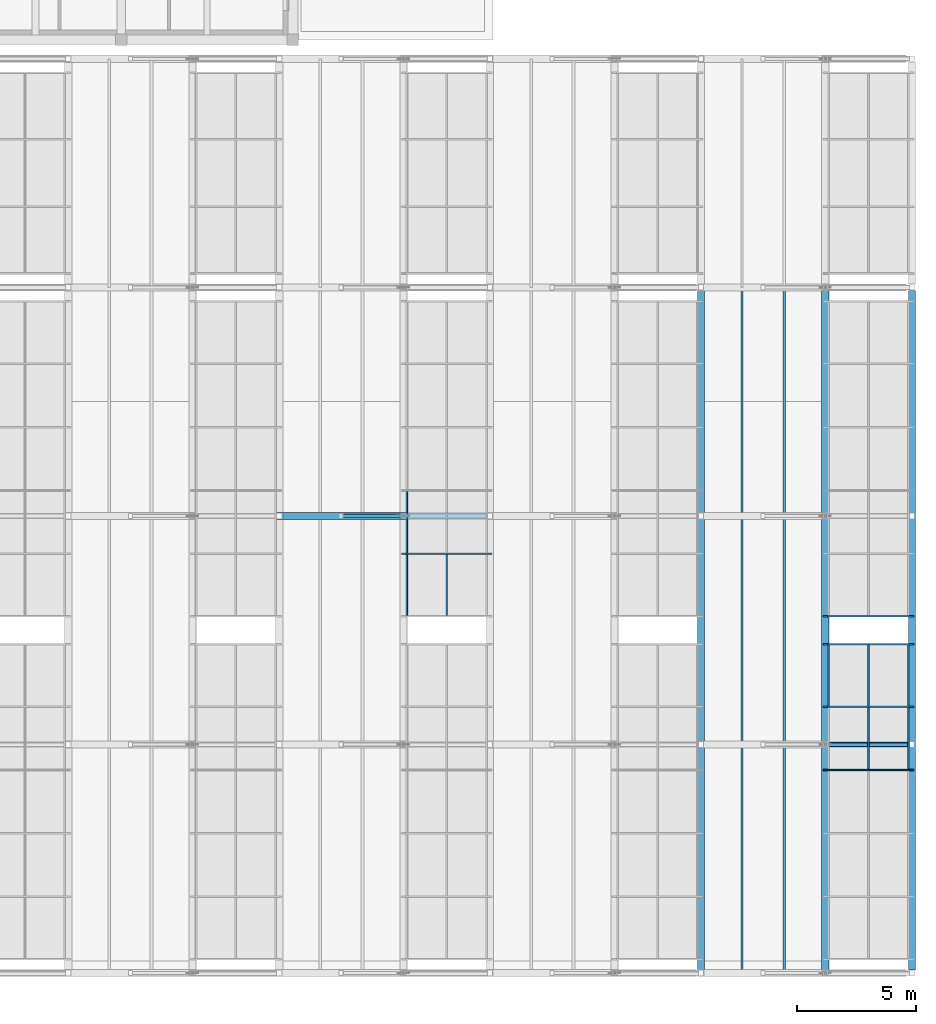
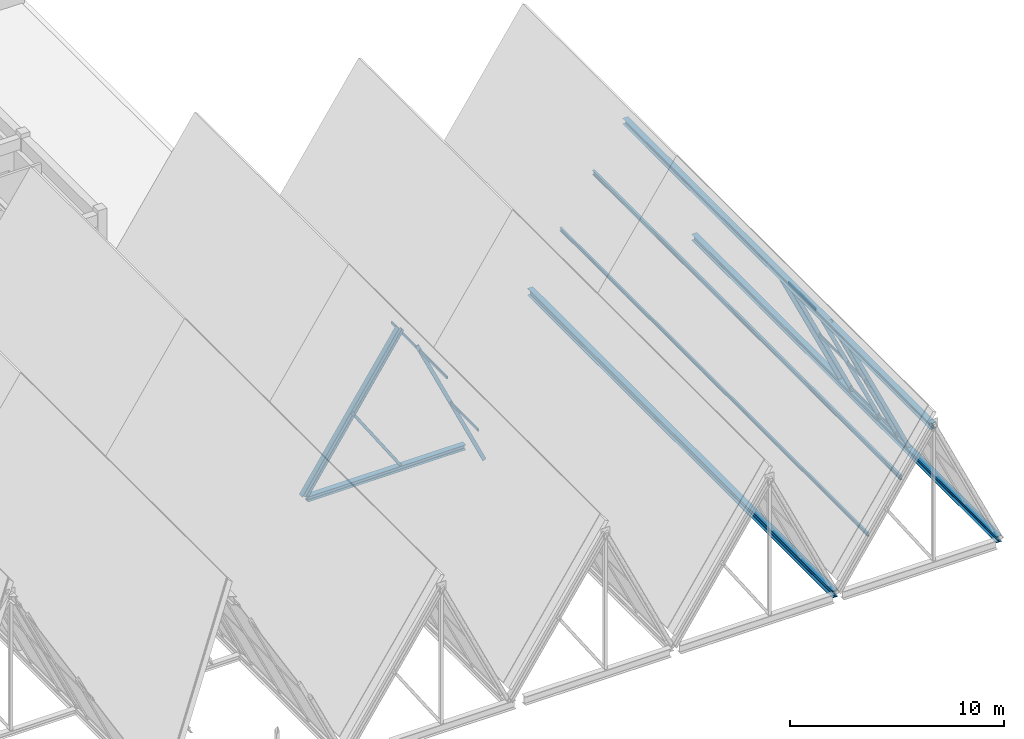
# One storey, part 55 of 99: 19 members, 3 beams, 3 elements without a shape of their own.
"""IFC4 building model written with IfcOpenShell, lengths in metres."""

from ifc_helpers import new_model, si_unit, direction, frame, origin, origin_2d, place, context, subcontext, project, spatial, hollow_rectangle, hollow_circle, i_section, extrude, material, material_profile, profile_set, type_object, element, aggregate, save


model = new_model("IFC4")

# Units and contexts
model_context = context("Model", 3, precision=1e-05, world=origin(), true_north=direction((0.0, 1.0)))
body_context = subcontext(model_context, "Body", "Model", "MODEL_VIEW")
ifc_project = project(units=[si_unit("LENGTHUNIT", "METRE"), si_unit("AREAUNIT", "SQUARE_METRE"), si_unit("VOLUMEUNIT", "CUBIC_METRE"), si_unit("PLANEANGLEUNIT", "RADIAN"), si_unit("MASSUNIT", "GRAM", prefix="KILO")], contexts=[model_context])

# Site, building, storey
site_placement = place(None, origin())
site = spatial("IfcSite", under=ifc_project, at=site_placement, CompositionType="ELEMENT")
building_placement = place(site_placement, origin())
building = spatial("IfcBuilding", under=site, at=building_placement, Name="Bramveld Media Centre", CompositionType="ELEMENT")
storey_placement = place(building_placement, frame((0.0, 0.0, 13.800048828125)))
storey = spatial("IfcBuildingStorey", under=building, at=storey_placement, Name="L03", CompositionType="ELEMENT", Elevation=13.800048828125)

# Curtain wall, member
ifc_material_1 = material(Name="Thermally broken anodized bronze aluminium unitized curtain wall with solar-control triple glazing", Category="aluminium")
curtain_wall_type = type_object("IfcCurtainWallType", Name="CW-SAW-13300x8606", PredefinedType="NOTDEFINED", material=ifc_material_1)
curtain_wall_1_placement = place(storey_placement, origin())
curtain_wall_1 = element("IfcCurtainWall", 1, at=curtain_wall_1_placement, inside=storey, type_object=curtain_wall_type, Name="V1 sawtooth north-light clerestory B5-S2", PredefinedType="NOTDEFINED")
ifc_material_2 = material(Name="Thermally broken anodized bronze aluminium EN AW-6063 T6 curtain-wall framing", Category="aluminium")
ifc_material_profile_1 = material_profile(ifc_material_2, hollow_rectangle(XDim=0.070068359375, YDim=0.199951171875, WallThickness=0.00439453125, InnerFilletRadius=0.00439453125, OuterFilletRadius=0.009033203125, at=origin_2d()), Name="AL-MULL 70x200")
ifc_profile_set_1 = profile_set([ifc_material_profile_1], Name="Thermally broken anodized bronze aluminium EN AW-6063 T6 curtain-wall framing")
member_type_1 = type_object("IfcMemberType", Name="CW-MULL-SLP", PredefinedType="MULLION", material=ifc_profile_set_1)
member_1_placement = place(storey_placement, frame((168.28564453125, 17.610107421875, -0.02001953125), z_axis=(-0.423956992265, 0.0, 0.90568232218), x_axis=(0.0, -1.0, 0.0)))
member_1 = element("IfcMember", 2, at=member_1_placement, type_object=member_type_1, Name="CW-SA-13386 sloped mullion 2", PredefinedType="MULLION", context=body_context, shape_type="SweptSolid", body=[
    extrude(hollow_rectangle(XDim=0.070068359375, YDim=0.199951171875, WallThickness=0.00439453125, InnerFilletRadius=0.00439453125, OuterFilletRadius=0.009033203125, at=origin_2d()), origin(), (0.0, 0.0, 1.0), 8.5791015625),
])

# Curtain wall, members
curtain_wall_2_placement = place(storey_placement, origin())
curtain_wall_2 = element("IfcCurtainWall", 3, at=curtain_wall_2_placement, inside=storey, type_object=curtain_wall_type, Name="V1 sawtooth north-light clerestory B7-S1", PredefinedType="NOTDEFINED")
member_2_placement = place(storey_placement, frame((186.0, 8.530029296875, -0.02001953125), z_axis=(-0.423956992265, 0.0, 0.90568232218), x_axis=(0.0, -1.0, 0.0)))
member_2 = element("IfcMember", 4, at=member_2_placement, type_object=member_type_1, Name="CW-SA-13386 sloped mullion 4", PredefinedType="MULLION", context=body_context, shape_type="SweptSolid", body=[
    extrude(hollow_rectangle(XDim=0.070068359375, YDim=0.199951171875, WallThickness=0.00439453125, InnerFilletRadius=0.00439453125, OuterFilletRadius=0.009033203125, at=origin_2d()), origin(), (0.0, 0.0, 1.0), 8.5791015625),
])
member_3_placement = place(storey_placement, frame((186.0, 11.18994140625, -0.02001953125), z_axis=(-0.423956992265, 0.0, 0.90568232218), x_axis=(0.0, -1.0, 0.0)))
member_3 = element("IfcMember", 5, at=member_3_placement, type_object=member_type_1, Name="CW-SA-13386 sloped mullion 5", PredefinedType="MULLION", context=body_context, shape_type="SweptSolid", body=[
    extrude(hollow_rectangle(XDim=0.070068359375, YDim=0.199951171875, WallThickness=0.00439453125, InnerFilletRadius=0.00439453125, OuterFilletRadius=0.009033203125, at=origin_2d()), origin(), (0.0, 0.0, 1.0), 8.5791015625),
])
member_4_placement = place(storey_placement, frame((186.0, 13.81494140625, -0.02001953125), z_axis=(-0.423956992265, 0.0, 0.90568232218), x_axis=(0.0, -1.0, 0.0)))
member_4 = element("IfcMember", 6, at=member_4_placement, type_object=member_type_1, Name="CW-SA-13386 sloped mullion 6", PredefinedType="MULLION", context=body_context, shape_type="SweptSolid", body=[
    extrude(hollow_rectangle(XDim=0.070068359375, YDim=0.199951171875, WallThickness=0.00439453125, InnerFilletRadius=0.00439453125, OuterFilletRadius=0.009033203125, at=origin_2d()), origin(), (0.0, 0.0, 1.0), 8.5791015625),
])

# Curtain wall, member
curtain_wall_3_placement = place(storey_placement, origin())
curtain_wall_3 = element("IfcCurtainWall", 7, at=curtain_wall_3_placement, inside=storey, type_object=curtain_wall_type, Name="V1 sawtooth north-light clerestory B7-S2", PredefinedType="NOTDEFINED")
member_5_placement = place(storey_placement, frame((186.0, 14.985107421875, -0.02001953125), z_axis=(-0.423956992265, 0.0, 0.90568232218), x_axis=(0.0, -1.0, 0.0)))
member_5 = element("IfcMember", 8, at=member_5_placement, type_object=member_type_1, Name="CW-SA-13386 sloped mullion 1", PredefinedType="MULLION", context=body_context, shape_type="SweptSolid", body=[
    extrude(hollow_rectangle(XDim=0.070068359375, YDim=0.199951171875, WallThickness=0.00439453125, InnerFilletRadius=0.00439453125, OuterFilletRadius=0.009033203125, at=origin_2d()), origin(), (0.0, 0.0, 1.0), 8.5791015625),
])
aggregate(curtain_wall_3, [member_5])

# Member
ifc_material_3 = material(Name="Thermally broken anodized bronze aluminium EN AW-6063 T6 curtain-wall framing", Category="aluminium")
ifc_material_profile_2 = material_profile(ifc_material_3, hollow_rectangle(XDim=0.070068359375, YDim=0.14990234375, WallThickness=0.00390625, InnerFilletRadius=0.00390625, OuterFilletRadius=0.008056640625, at=origin_2d()), Name="AL-TRAN 70x150")
ifc_profile_set_2 = profile_set([ifc_material_profile_2], Name="Thermally broken anodized bronze aluminium EN AW-6063 T6 curtain-wall framing")
member_type_2 = type_object("IfcMemberType", Name="CW-TRAN-SLP", PredefinedType="USERDEFINED", material=ifc_profile_set_2)
member_6_placement = place(storey_placement, frame((166.467041015625, 15.02001953125, 3.864990234375), z_axis=(0.0, 1.0, 0.0), x_axis=(-1.0, 0.0, 0.0)))
member_6 = element("IfcMember", 9, at=member_6_placement, type_object=member_type_2, Name="CW-SA-13386 transom 1.2", ObjectType="TRANSOM", PredefinedType="USERDEFINED", context=body_context, shape_type="SweptSolid", body=[
    extrude(hollow_rectangle(XDim=0.070068359375, YDim=0.14990234375, WallThickness=0.00390625, InnerFilletRadius=0.00390625, OuterFilletRadius=0.008056640625, at=origin_2d()), origin(), (0.0, 0.0, 1.0), 2.554931640625),
])

member_7_placement = place(storey_placement, frame((164.7939453125, 15.02001953125, 7.439208984375), z_axis=(0.0, 1.0, 0.0), x_axis=(-1.0, 0.0, 0.0)))
member_7 = element("IfcMember", 10, at=member_7_placement, type_object=member_type_2, Name="CW-SA-13386 transom 1.3", ObjectType="TRANSOM", PredefinedType="USERDEFINED", context=body_context, shape_type="SweptSolid", body=[
    extrude(hollow_rectangle(XDim=0.070068359375, YDim=0.14990234375, WallThickness=0.00390625, InnerFilletRadius=0.00390625, OuterFilletRadius=0.008056640625, at=origin_2d()), origin(), (0.0, 0.0, 1.0), 2.554931640625),
])

member_8_placement = place(storey_placement, frame((164.7939453125, 17.64501953125, 7.439208984375), z_axis=(0.0, 1.0, 0.0), x_axis=(-1.0, 0.0, 0.0)))
member_8 = element("IfcMember", 11, at=member_8_placement, type_object=member_type_2, Name="CW-SA-13386 transom 2.3", ObjectType="TRANSOM", PredefinedType="USERDEFINED", context=body_context, shape_type="SweptSolid", body=[
    extrude(hollow_rectangle(XDim=0.070068359375, YDim=0.14990234375, WallThickness=0.00390625, InnerFilletRadius=0.00390625, OuterFilletRadius=0.008056640625, at=origin_2d()), origin(), (0.0, 0.0, 1.0), 2.590087890625),
])

aggregate(curtain_wall_1, [member_1, member_6, member_7, member_8])

member_9_placement = place(storey_placement, frame((185.8544921875, 8.56494140625, 0.290771484375), z_axis=(0.0, 1.0, 0.0), x_axis=(-1.0, 0.0, 0.0)))
member_9 = element("IfcMember", 12, at=member_9_placement, type_object=member_type_2, Name="CW-SA-13386 transom 4.1", ObjectType="TRANSOM", PredefinedType="USERDEFINED", context=body_context, shape_type="SweptSolid", body=[
    extrude(hollow_rectangle(XDim=0.070068359375, YDim=0.14990234375, WallThickness=0.00390625, InnerFilletRadius=0.00390625, OuterFilletRadius=0.008056640625, at=origin_2d()), origin(), (0.0, 0.0, 1.0), 2.590087890625),
])

member_10_placement = place(storey_placement, frame((184.181396484375, 8.56494140625, 3.864990234375), z_axis=(0.0, 1.0, 0.0), x_axis=(-1.0, 0.0, 0.0)))
member_10 = element("IfcMember", 13, at=member_10_placement, type_object=member_type_2, Name="CW-SA-13386 transom 4.2", ObjectType="TRANSOM", PredefinedType="USERDEFINED", context=body_context, shape_type="SweptSolid", body=[
    extrude(hollow_rectangle(XDim=0.070068359375, YDim=0.14990234375, WallThickness=0.00390625, InnerFilletRadius=0.00390625, OuterFilletRadius=0.008056640625, at=origin_2d()), origin(), (0.0, 0.0, 1.0), 2.590087890625),
])

member_11_placement = place(storey_placement, frame((185.8544921875, 11.22509765625, 0.290771484375), z_axis=(0.0, 1.0, 0.0), x_axis=(-1.0, 0.0, 0.0)))
member_11 = element("IfcMember", 14, at=member_11_placement, type_object=member_type_2, Name="CW-SA-13386 transom 5.1", ObjectType="TRANSOM", PredefinedType="USERDEFINED", context=body_context, shape_type="SweptSolid", body=[
    extrude(hollow_rectangle(XDim=0.070068359375, YDim=0.14990234375, WallThickness=0.00390625, InnerFilletRadius=0.00390625, OuterFilletRadius=0.008056640625, at=origin_2d()), origin(), (0.0, 0.0, 1.0), 2.554931640625),
])

member_12_placement = place(storey_placement, frame((184.181396484375, 11.22509765625, 3.864990234375), z_axis=(0.0, 1.0, 0.0), x_axis=(-1.0, 0.0, 0.0)))
member_12 = element("IfcMember", 15, at=member_12_placement, type_object=member_type_2, Name="CW-SA-13386 transom 5.2", ObjectType="TRANSOM", PredefinedType="USERDEFINED", context=body_context, shape_type="SweptSolid", body=[
    extrude(hollow_rectangle(XDim=0.070068359375, YDim=0.14990234375, WallThickness=0.00390625, InnerFilletRadius=0.00390625, OuterFilletRadius=0.008056640625, at=origin_2d()), origin(), (0.0, 0.0, 1.0), 2.554931640625),
])

member_13_placement = place(storey_placement, frame((182.50830078125, 11.22509765625, 7.439208984375), z_axis=(0.0, 1.0, 0.0), x_axis=(-1.0, 0.0, 0.0)))
member_13 = element("IfcMember", 16, at=member_13_placement, type_object=member_type_2, Name="CW-SA-13386 transom 5.3", ObjectType="TRANSOM", PredefinedType="USERDEFINED", context=body_context, shape_type="SweptSolid", body=[
    extrude(hollow_rectangle(XDim=0.070068359375, YDim=0.14990234375, WallThickness=0.00390625, InnerFilletRadius=0.00390625, OuterFilletRadius=0.008056640625, at=origin_2d()), origin(), (0.0, 0.0, 1.0), 2.554931640625),
])

aggregate(curtain_wall_2, [member_2, member_3, member_4, member_9, member_10, member_11, member_12, member_13])

# Members
ifc_material_4 = material(Name="Steel S355J2H", Category="steel")
ifc_material_profile_3 = material_profile(ifc_material_4, hollow_circle(Radius=0.109619140625, WallThickness=0.012451171875, at=origin_2d()), Name="CHS 219.1x12.5")
ifc_profile_set_3 = profile_set([ifc_material_profile_3], Name="Steel S355J2H")
member_type_3 = type_object("IfcMemberType", Name="MEM-BRACE-CHS219", PredefinedType="BRACE", material=ifc_profile_set_3)
member_14_placement = place(storey_placement, frame((186.0, 9.60009765625, 0.0), z_axis=(-0.422616785161, 0.0, 0.906308475575), x_axis=(0.0, -1.0, 0.0)))
element("IfcMember", 17, at=member_14_placement, inside=storey, type_object=member_type_3, Name="TRUSS-V1-B07-F2 north-light strut", PredefinedType="BRACE", context=body_context, shape_type="SweptSolid", body=[
    extrude(hollow_circle(Radius=0.109619140625, WallThickness=0.012451171875, at=origin_2d()), origin(), (0.0, 0.0, 1.0), 8.6064453125),
])
ifc_material_5 = material(Name="Steel S355J2H", Category="steel")
ifc_material_profile_4 = material_profile(ifc_material_5, hollow_rectangle(XDim=0.14990234375, YDim=0.14990234375, WallThickness=0.010009765625, InnerFilletRadius=0.010009765625, OuterFilletRadius=0.02001953125, at=origin_2d()), Name="SHS 150x150x10")
ifc_profile_set_4 = profile_set([ifc_material_profile_4], Name="Steel S355J2H")
member_type_4 = type_object("IfcMemberType", Name="MEM-BRACE-SHS150", PredefinedType="BRACE", material=ifc_profile_set_4)
member_15_placement = place(storey_placement, frame((164.6484375, 19.199951171875, 0.0), z_axis=(-0.55616408489, 0.0, 0.83107250627), x_axis=(0.0, -1.0, 0.0)))
element("IfcMember", 18, at=member_15_placement, inside=storey, type_object=member_type_4, Name="TRUSS-V1-B05-F3 web diagonal", PredefinedType="BRACE", context=body_context, shape_type="SweptSolid", body=[
    extrude(hollow_rectangle(XDim=0.14990234375, YDim=0.14990234375, WallThickness=0.010009765625, InnerFilletRadius=0.010009765625, OuterFilletRadius=0.02001953125, at=origin_2d()), origin(), (0.0, 0.0, 1.0), 4.692626953125),
])
ifc_material_6 = material(Name="Steel S355J2", Category="steel")
ifc_material_profile_5 = material_profile(ifc_material_6, i_section(OverallWidth=0.300048828125, OverallDepth=0.2900390625, WebThickness=0.008544921875, FlangeThickness=0.013916015625, FilletRadius=0.027099609375, at=origin_2d()), Name="HEA 300")
ifc_profile_set_5 = profile_set([ifc_material_profile_5], Name="Steel S355J2")
member_type_5 = type_object("IfcMemberType", Name="MEM-CHORD-HEA300", PredefinedType="CHORD", material=ifc_profile_set_5)
member_16_placement = place(storey_placement, frame((159.588623046875, 19.199951171875, -0.14501953125), z_axis=(1.0, 0.0, 0.0), x_axis=(0.0, 1.0, 0.0)))
element("IfcMember", 19, at=member_16_placement, inside=storey, type_object=member_type_5, Name="TRUSS-V1-B05-F3 bottom tie chord", PredefinedType="CHORD", context=body_context, shape_type="SweptSolid", body=[
    extrude(i_section(OverallWidth=0.300048828125, OverallDepth=0.2900390625, WebThickness=0.008544921875, FlangeThickness=0.013916015625, FilletRadius=0.027099609375, at=origin_2d()), origin(), (0.0, 0.0, 1.0), 8.537109375),
])
ifc_material_7 = material(Name="Steel S355J2", Category="steel")
ifc_material_profile_6 = material_profile(ifc_material_7, i_section(OverallWidth=0.300048828125, OverallDepth=0.340087890625, WebThickness=0.011962890625, FlangeThickness=0.021484375, FilletRadius=0.027099609375, at=origin_2d()), Name="HEB 340")
ifc_profile_set_6 = profile_set([ifc_material_profile_6], Name="Steel S355J2")
member_type_6 = type_object("IfcMemberType", Name="MEM-CHORD-HEB340", PredefinedType="CHORD", material=ifc_profile_set_6)
member_17_placement = place(storey_placement, frame((159.4287109375, 19.199951171875, 0.0), z_axis=(0.55615206142, 0.0, 0.8310805524), x_axis=(0.0, 1.0, 0.0)))
element("IfcMember", 20, at=member_17_placement, inside=storey, type_object=member_type_6, Name="TRUSS-V1-B05-F3 top rafter chord", PredefinedType="CHORD", context=body_context, shape_type="SweptSolid", body=[
    extrude(i_section(OverallWidth=0.300048828125, OverallDepth=0.340087890625, WebThickness=0.011962890625, FlangeThickness=0.021484375, FilletRadius=0.027099609375, at=origin_2d()), origin(), (0.0, 0.0, 1.0), 9.385498046875),
])
ifc_material_8 = material(Name="Steel S355J2", Category="steel")
ifc_material_profile_7 = material_profile(ifc_material_8, i_section(OverallWidth=0.10009765625, OverallDepth=0.199951171875, WebThickness=0.005615234375, FlangeThickness=0.008544921875, FilletRadius=0.011962890625, at=origin_2d()), Name="IPE 200")
ifc_profile_set_7 = profile_set([ifc_material_profile_7], Name="Steel S355J2")
member_type_7 = type_object("IfcMemberType", Name="MEM-PURLIN-IPE200", PredefinedType="PURLIN", material=ifc_profile_set_7)
member_18_placement = place(storey_placement, frame((178.865478515625, 0.0, 2.666259765625), z_axis=(0.0, 1.0, 0.0), x_axis=(-1.0, 0.0, 0.0)))
element("IfcMember", 21, at=member_18_placement, inside=storey, type_object=member_type_7, Name="V1 roof purlin", PredefinedType="PURLIN", context=body_context, shape_type="SweptSolid", body=[
    extrude(i_section(OverallWidth=0.10009765625, OverallDepth=0.199951171875, WebThickness=0.005615234375, FlangeThickness=0.008544921875, FilletRadius=0.011962890625, at=origin_2d()), origin(), (0.0, 0.0, 1.0), 28.800048828125),
])
ifc_material_9 = material(Name="Steel S355J2", Category="steel")
ifc_material_profile_8 = material_profile(ifc_material_9, i_section(OverallWidth=0.1201171875, OverallDepth=0.239990234375, WebThickness=0.006103515625, FlangeThickness=0.009765625, FilletRadius=0.014892578125, at=origin_2d()), Name="IPE 240")
ifc_profile_set_8 = profile_set([ifc_material_profile_8], Name="Steel S355J2")
member_type_8 = type_object("IfcMemberType", Name="MEM-PURLIN-IPE240", PredefinedType="PURLIN", material=ifc_profile_set_8)
member_19_placement = place(storey_placement, frame((180.64013671875, 0.0, 5.283447265625), z_axis=(0.0, 1.0, 0.0), x_axis=(-1.0, 0.0, 0.0)))
element("IfcMember", 22, at=member_19_placement, inside=storey, type_object=member_type_8, Name="V1 roof purlin", PredefinedType="PURLIN", context=body_context, shape_type="SweptSolid", body=[
    extrude(i_section(OverallWidth=0.1201171875, OverallDepth=0.239990234375, WebThickness=0.006103515625, FlangeThickness=0.009765625, FilletRadius=0.014892578125, at=origin_2d()), origin(), (0.0, 0.0, 1.0), 28.800048828125),
])

# Beams
ifc_material_10 = material(Name="Steel S355J2", Category="steel")
ifc_material_profile_9 = material_profile(ifc_material_10, i_section(OverallWidth=0.300048828125, OverallDepth=0.35009765625, WebThickness=0.010009765625, FlangeThickness=0.017578125, FilletRadius=0.027099609375, at=origin_2d()), Name="HEA 360")
ifc_profile_set_9 = profile_set([ifc_material_profile_9], Name="Steel S355J2")
beam_type_1 = type_object("IfcBeamType", Name="SBM-EXT-HEA-360", PredefinedType="BEAM", material=ifc_profile_set_9)
beam_1_placement = place(storey_placement, frame((186.0, 0.139892578125, -0.175048828125), z_axis=(0.0, 1.0, 0.0), x_axis=(-1.0, 0.0, 0.0)))
element("IfcBeam", 23, at=beam_1_placement, inside=storey, type_object=beam_type_1, Name="V1 valley spine girder 7", PredefinedType="BEAM", context=body_context, shape_type="SweptSolid", body=[
    extrude(i_section(OverallWidth=0.300048828125, OverallDepth=0.35009765625, WebThickness=0.010009765625, FlangeThickness=0.017578125, FilletRadius=0.027099609375, at=origin_2d()), origin(), (0.0, 0.0, 1.0), 28.52001953125),
])
ifc_material_11 = material(Name="Steel S355J2", Category="steel")
ifc_material_profile_10 = material_profile(ifc_material_11, i_section(OverallWidth=0.300048828125, OverallDepth=0.330078125, WebThickness=0.009521484375, FlangeThickness=0.0166015625, FilletRadius=0.027099609375, at=origin_2d()), Name="HEA 340")
ifc_profile_set_10 = profile_set([ifc_material_profile_10], Name="Steel S355J2")
beam_type_2 = type_object("IfcBeamType", Name="SBM-INT-HEA-340", PredefinedType="BEAM", material=ifc_profile_set_10)
beam_2_placement = place(storey_placement, frame((182.36279296875, 0.0, 7.635009765625), z_axis=(0.0, 1.0, 0.0), x_axis=(-1.0, 0.0, 0.0)))
element("IfcBeam", 24, at=beam_2_placement, inside=storey, type_object=beam_type_2, Name="V1 ridge spine beam", PredefinedType="BEAM", context=body_context, shape_type="SweptSolid", body=[
    extrude(i_section(OverallWidth=0.300048828125, OverallDepth=0.330078125, WebThickness=0.009521484375, FlangeThickness=0.0166015625, FilletRadius=0.027099609375, at=origin_2d()), origin(), (0.0, 0.0, 1.0), 28.800048828125),
])
ifc_material_12 = material(Name="Steel S355J2", Category="steel")
ifc_material_profile_11 = material_profile(ifc_material_12, i_section(OverallWidth=0.300048828125, OverallDepth=0.39990234375, WebThickness=0.013427734375, FlangeThickness=0.02392578125, FilletRadius=0.027099609375, at=origin_2d()), Name="HEB 400")
ifc_profile_set_11 = profile_set([ifc_material_profile_11], Name="Steel S355J2")
beam_type_3 = type_object("IfcBeamType", Name="SBM-INT-HEB-400", PredefinedType="BEAM", material=ifc_profile_set_11)
beam_3_placement = place(storey_placement, frame((177.142822265625, 0.139892578125, -0.199951171875), z_axis=(0.0, 1.0, 0.0), x_axis=(-1.0, 0.0, 0.0)))
element("IfcBeam", 25, at=beam_3_placement, inside=storey, type_object=beam_type_3, Name="V1 valley spine girder 6", PredefinedType="BEAM", context=body_context, shape_type="SweptSolid", body=[
    extrude(i_section(OverallWidth=0.300048828125, OverallDepth=0.39990234375, WebThickness=0.013427734375, FlangeThickness=0.02392578125, FilletRadius=0.027099609375, at=origin_2d()), origin(), (0.0, 0.0, 1.0), 28.52001953125),
])

save(model, "model.ifc")
